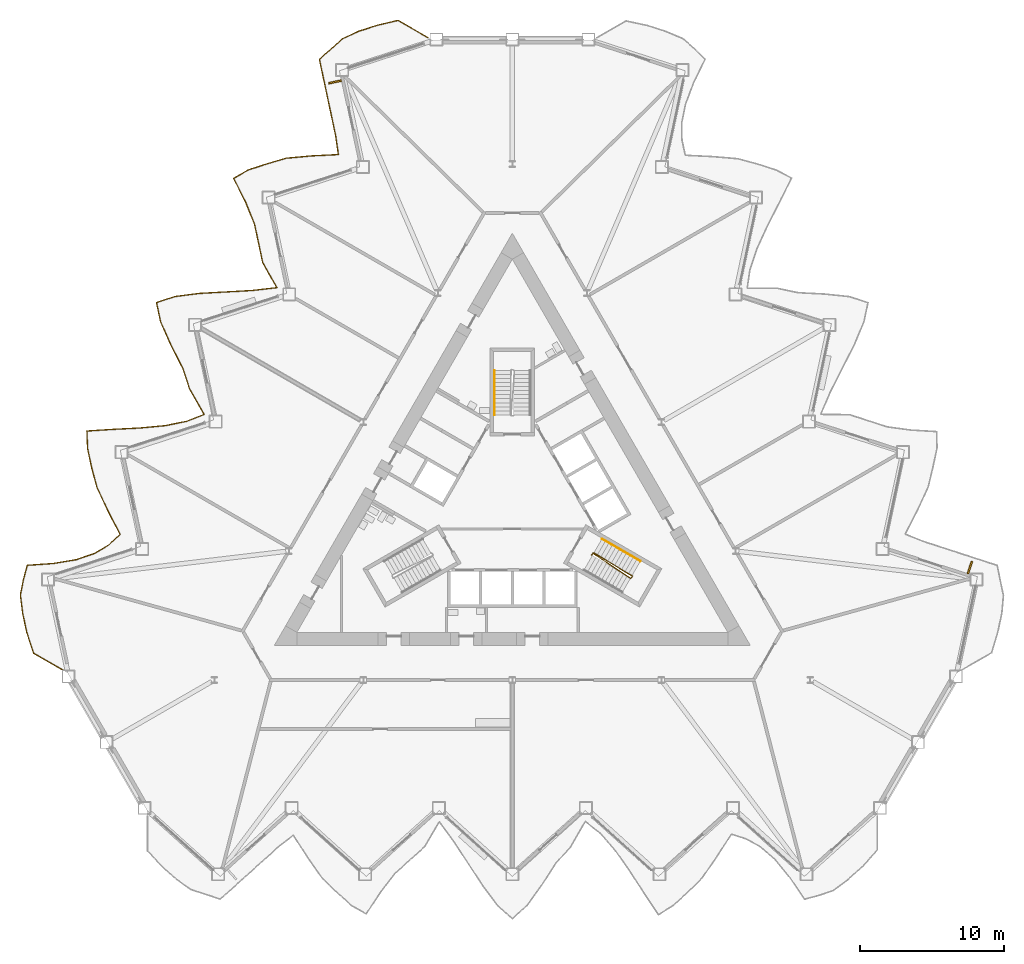
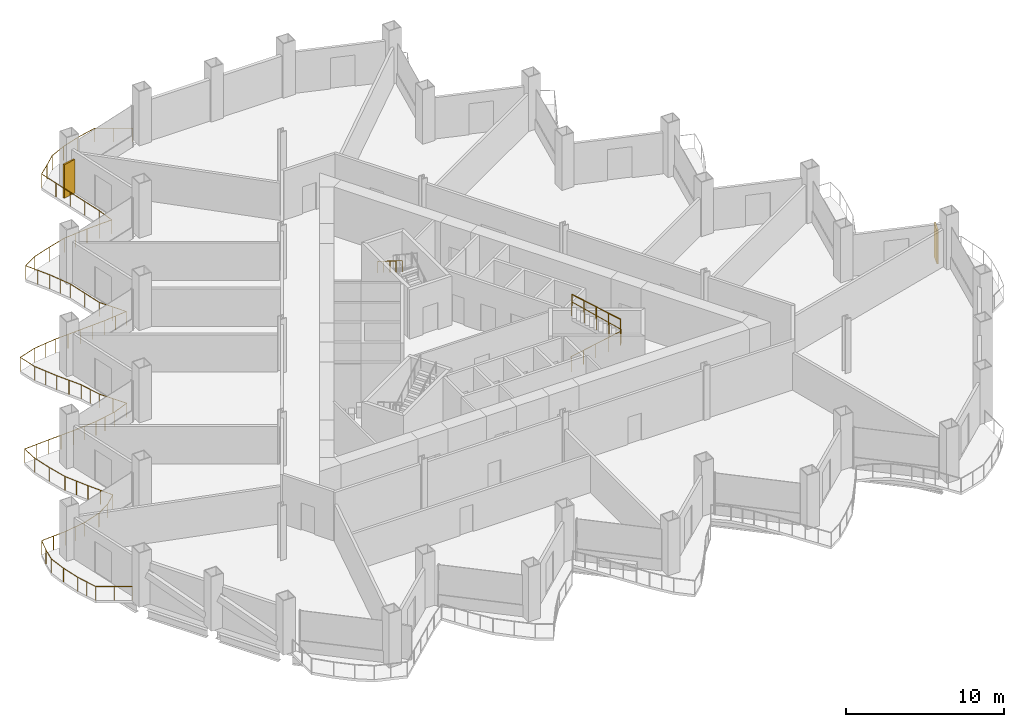
# One storey, part 18 of 21: 4 railings, 2 shading devices.
"""IFC4 building model written with IfcOpenShell, lengths in metres."""

import ifcopenshell
import ifcopenshell.guid

model = None  # the IFC model being written
_history = None  # IfcOwnerHistory: only IFC2X3 demands one
_inside = {}  # id of a spatial element -> (the spatial element, [elements in it])
_under = {}  # id of a project, library or spatial element -> (it, [spatial elements below it])
_declared = {}  # id of a project -> (the project, [libraries it declares])
_typed = {}  # id of a type object -> (the type object, [elements of that type])
_made_of = {}  # id of a material, layer set ... -> (it, [elements and type objects made of it])


def new_model(schema):
    """Start an empty IFC model of exactly this schema.

    Asked for "IFC4X3", IfcOpenShell would pick the latest addendum, in which some entities
    have other attributes; the version numbers below select the first issue.
    IFC2X3 requires an IfcOwnerHistory on every rooted entity: one is made here for all.
    """
    global model, _history
    if schema == "IFC4X3":
        model = ifcopenshell.file(schema_version=(4, 3, 0, 0))
    else:
        model = ifcopenshell.file(schema=schema)
    _inside.clear()
    _under.clear()
    _declared.clear()
    _typed.clear()
    _made_of.clear()
    _history = None
    if model.schema == "IFC2X3":
        org = make("IfcOrganization", Name="unknown")
        user = make(
            "IfcPersonAndOrganization",
            ThePerson=make("IfcPerson", FamilyName="unknown"),
            TheOrganization=org,
        )
        app = make(
            "IfcApplication",
            ApplicationDeveloper=org,
            Version="unknown",
            ApplicationFullName="unknown",
            ApplicationIdentifier="unknown",
        )
        _history = make(
            "IfcOwnerHistory",
            OwningUser=user,
            OwningApplication=app,
            ChangeAction="ADDED",
            CreationDate=0,
        )
    return model


def make(cls, **values):
    """One entity of the class cls with the attributes given. An attribute that is None is left unset."""
    return model.create_entity(
        cls, **{name: value for name, value in values.items() if value is not None}
    )


def rooted(cls, **values):
    """An entity with a GlobalId (a new one), such as an element, a storey or a relation."""
    return make(cls, GlobalId=ifcopenshell.guid.new(), OwnerHistory=_history, **values)


def si_unit(unit_type, name, prefix=None):
    """IfcSIUnit, for example si_unit("LENGTHUNIT", "METRE", prefix="MILLI")."""
    return make("IfcSIUnit", UnitType=unit_type, Prefix=prefix, Name=name)


def assignment(units):
    """IfcUnitAssignment: the units of a project."""
    return None if units is None else make("IfcUnitAssignment", Units=units)


def point(xyz):
    """IfcCartesianPoint."""
    return None if xyz is None else make("IfcCartesianPoint", Coordinates=xyz)


def direction(xyz):
    """IfcDirection."""
    return None if xyz is None else make("IfcDirection", DirectionRatios=xyz)


def frame(location, z_axis=None, x_axis=None):
    """IfcAxis2Placement3D, a coordinate frame: its origin and axes. An axis left out is left unset."""
    return make(
        "IfcAxis2Placement3D",
        Location=point(location),
        Axis=direction(z_axis),
        RefDirection=direction(x_axis),
    )


def frame_2d(location, x_axis=None):
    """IfcAxis2Placement2D, a coordinate frame in the plane: its origin and x axis."""
    return make(
        "IfcAxis2Placement2D", Location=point(location), RefDirection=direction(x_axis)
    )


def origin():
    """The frame at (0, 0, 0) with its axes left unset."""
    return frame((0.0, 0.0, 0.0))


def origin_2d():
    """The frame at (0, 0) in the plane with its x axis left unset."""
    return frame_2d((0.0, 0.0))


def place(relative_to, where):
    """IfcLocalPlacement: puts the frame where relative to a parent placement (None: the world)."""
    return make(
        "IfcLocalPlacement", PlacementRelTo=relative_to, RelativePlacement=where
    )


def context(
    kind, dimensions, precision=None, world=None, true_north=None, identifier=None
):
    """IfcGeometricRepresentationContext, for example the 3D "Model" context."""
    return make(
        "IfcGeometricRepresentationContext",
        ContextIdentifier=identifier,
        ContextType=kind,
        CoordinateSpaceDimension=dimensions,
        Precision=precision,
        WorldCoordinateSystem=world,
        TrueNorth=true_north,
    )


def subcontext(parent, identifier, kind, view, scale=None):
    """IfcGeometricRepresentationSubContext, for example "Body" below "Model"."""
    return make(
        "IfcGeometricRepresentationSubContext",
        ContextIdentifier=identifier,
        ContextType=kind,
        ParentContext=parent,
        TargetScale=scale,
        TargetView=view,
    )


def project(units=None, contexts=None):
    """IfcProject with its units and contexts."""
    return rooted(
        "IfcProject",
        Name="project",
        RepresentationContexts=contexts,
        UnitsInContext=assignment(units),
    )


def spatial(cls, under=None, at=None, **own):
    """A site, building, storey or space (cls), placed at a placement, below another one or the project."""
    s = rooted(cls, ObjectPlacement=at, **own)
    if under is not None:
        _under.setdefault(under.id(), (under, []))[1].append(s)
    return s


def profile(cls, at=None, kind="AREA", **sizes):
    """A parametric profile (cls). Its sizes go by their IFC names, for example OverallWidth=200.0."""
    return make(cls, ProfileType=kind, Position=at, **sizes)


def rectangle(**sizes):
    """IfcRectangleProfileDef."""
    return profile("IfcRectangleProfileDef", **sizes)


def circle(**sizes):
    """IfcCircleProfileDef."""
    return profile("IfcCircleProfileDef", **sizes)


def extrude(swept, where, along, depth):
    """IfcExtrudedAreaSolid: the profile swept, set in the frame where, extruded along a direction by depth."""
    return make(
        "IfcExtrudedAreaSolid",
        SweptArea=swept,
        Position=where,
        ExtrudedDirection=direction(along),
        Depth=depth,
    )


def shape(context_of_items, identifier, shape_type, items):
    """IfcShapeRepresentation: the items that make up one representation, for example the "Body"."""
    return make(
        "IfcShapeRepresentation",
        ContextOfItems=context_of_items,
        RepresentationIdentifier=identifier,
        RepresentationType=shape_type,
        Items=items,
    )


def material(Name=None, Category=None):
    """IfcMaterial."""
    return make("IfcMaterial", Name=Name, Category=Category)


def layer(
    of_material, thickness, ventilated=None, Name=None, Category=None, Priority=None
):
    """IfcMaterialLayer: one layer of a wall or slab, of a material (None: an air gap)."""
    return make(
        "IfcMaterialLayer",
        Material=of_material,
        LayerThickness=thickness,
        IsVentilated=ventilated,
        Name=Name,
        Category=Category,
        Priority=Priority,
    )


def layer_set(layers, Name=None):
    """IfcMaterialLayerSet."""
    return make("IfcMaterialLayerSet", MaterialLayers=layers, LayerSetName=Name)


def made_of(thing, what):
    """Note that an element or type object is made of a material, layer set ...; save() writes the relation."""
    if what is not None:
        _made_of.setdefault(what.id(), (what, []))[1].append(thing)
    return thing


def type_object(cls, material=None, **own):
    """A type object (cls), such as IfcWallType, which elements share."""
    return made_of(rooted(cls, **own), material)


def element(
    cls,
    number,
    at=None,
    inside=None,
    cuts=None,
    type_object=None,
    material=None,
    context=None,
    identifier="Body",
    shape_type=None,
    held_by="IfcProductDefinitionShape",
    body=None,
    shapes=None,
    **own,
):
    """One element of the class cls, such as IfcWall. Its Tag is "e" and its number.

    at: its placement. inside: the storey or other place that contains it. cuts: it is an
    opening in that element (IfcRelVoidsElement). A single representation is given by context,
    identifier, shape_type and body (its items); several are given by shapes. held_by: the class
    of the entity that holds the representations. save() writes the other relations.
    """
    e = rooted(cls, Tag="e%d" % number, ObjectPlacement=at, **own)
    if body is not None:
        shapes = [shape(context, identifier, shape_type, body)]
    if shapes is not None:
        e.Representation = make(held_by, Representations=shapes)
    if inside is not None:
        _inside.setdefault(inside.id(), (inside, []))[1].append(e)
    if cuts is not None:
        rooted(
            "IfcRelVoidsElement", RelatingBuildingElement=cuts, RelatedOpeningElement=e
        )
    if type_object is not None:
        _typed.setdefault(type_object.id(), (type_object, []))[1].append(e)
    return made_of(e, material)


def aggregate(whole, parts):
    """IfcRelAggregates: a whole, such as a stair, and the parts it consists of."""
    return rooted("IfcRelAggregates", RelatingObject=whole, RelatedObjects=parts)


def save(model, path):
    """Write the relations noted so far, then the file.

    IfcRelAggregates (storeys below a building ...), IfcRelContainedInSpatialStructure (elements
    in a storey), IfcRelDefinesByType, IfcRelAssociatesMaterial and IfcRelDeclares: one each for
    every whole, place, type object, material and project.
    """
    for whole, parts in _under.values():
        aggregate(whole, parts)
    for where, things in _inside.values():
        rooted(
            "IfcRelContainedInSpatialStructure",
            RelatedElements=things,
            RelatingStructure=where,
        )
    for kind, things in _typed.values():
        rooted("IfcRelDefinesByType", RelatedObjects=things, RelatingType=kind)
    for what, things in _made_of.values():
        rooted("IfcRelAssociatesMaterial", RelatedObjects=things, RelatingMaterial=what)
    for by, libraries in _declared.values():
        rooted("IfcRelDeclares", RelatingContext=by, RelatedDefinitions=libraries)
    model.write(path)


model = new_model("IFC4")

# Units and contexts
model_context = context("Model", 3, precision=1e-05, world=origin(), true_north=direction((0.0, 1.0)))
body_context = subcontext(model_context, "Body", "Model", "MODEL_VIEW")
ifc_project = project(units=[si_unit("LENGTHUNIT", "METRE"), si_unit("AREAUNIT", "SQUARE_METRE"), si_unit("VOLUMEUNIT", "CUBIC_METRE"), si_unit("PLANEANGLEUNIT", "RADIAN"), si_unit("MASSUNIT", "GRAM", prefix="KILO")], contexts=[model_context])

# Site, building, storey
site_placement = place(None, origin())
site = spatial("IfcSite", under=ifc_project, at=site_placement, CompositionType="ELEMENT")
building_placement = place(site_placement, origin())
building = spatial("IfcBuilding", under=site, at=building_placement, Name="Cormorant Prow Tower", CompositionType="ELEMENT")
storey_placement = place(building_placement, frame((0.0, 0.0, 141.60009765625)))
storey = spatial("IfcBuildingStorey", under=building, at=storey_placement, Name="L30", CompositionType="ELEMENT", Elevation=141.60009765625)

# Railings
ifc_material_1 = material(Name="Aluminium 6063-T6", Category="aluminium")
railing_type_1 = type_object("IfcRailingType", Name="Balcony guard 1100", PredefinedType="GUARDRAIL", material=ifc_material_1)
railing_1_placement = place(storey_placement, frame((-5.843994140625, 32.614013671875, 0.0)))
element("IfcRailing", 1, at=railing_1_placement, inside=storey, type_object=railing_type_1, Name="Balcony guard WNW", PredefinedType="GUARDRAIL", context=body_context, shape_type="SweptSolid", body=[
    extrude(circle(Radius=0.02392578125, at=origin_2d()), frame((0.0, 0.0, 1.076171875), z_axis=(-0.866028295127, 0.499994992015, 0.0), x_axis=(-0.499994992015, -0.866028295127, 0.0)), (0.0, 0.0, 1.0), 2.40380859375),
    extrude(circle(Radius=0.02392578125, at=origin_2d()), frame((-2.081787109375, 1.201904296875, 1.076171875), z_axis=(-0.973527437764, -0.228570181608, 0.0), x_axis=(0.228570181608, -0.973527437764, 0.0)), (0.0, 0.0, 1.0), 1.479248046875),
    extrude(circle(Radius=0.02392578125, at=origin_2d()), frame((-3.52197265625, 0.86376953125, 1.076171875), z_axis=(-0.951056446131, -0.309017210318, 0.0), x_axis=(0.309017210318, -0.951056446131, 0.0)), (0.0, 0.0, 1.0), 1.36279296875),
    extrude(circle(Radius=0.02392578125, at=origin_2d()), frame((-4.818115234375, 0.442626953125, 1.076171875), z_axis=(-0.907751753019, -0.419507753077, 0.0), x_axis=(0.419507753077, -0.907751753019, 0.0)), (0.0, 0.0, 1.0), 1.239501953125),
    extrude(circle(Radius=0.02392578125, at=origin_2d()), frame((-5.943359375, -0.077392578125, 1.076171875), z_axis=(-0.741660765291, -0.670775155494, 0.0), x_axis=(0.670775155494, -0.741660765291, 0.0)), (0.0, 0.0, 1.0), 1.064208984375),
    extrude(circle(Radius=0.02392578125, at=origin_2d()), frame((-6.732666015625, -0.791259765625, 1.076171875), z_axis=(-0.75254842352, -0.658536916397, 0.0), x_axis=(0.658536916397, -0.75254842352, 0.0)), (0.0, 0.0, 1.0), 1.06982421875),
    extrude(circle(Radius=0.02392578125, at=origin_2d()), frame((-7.537841796875, -1.495849609375, 1.076171875), z_axis=(0.20777949128, -0.978175691276, 0.0), x_axis=(0.978175691276, 0.20777949128, 0.0)), (0.0, 0.0, 1.0), 1.363037109375),
    extrude(circle(Radius=0.02392578125, at=origin_2d()), frame((-7.254638671875, -2.8291015625, 1.076171875), z_axis=(0.207950868925, -0.97813927235, 0.0), x_axis=(0.97813927235, 0.207950868925, 0.0)), (0.0, 0.0, 1.0), 1.363037109375),
    extrude(circle(Radius=0.02392578125, at=origin_2d()), frame((-6.97119140625, -4.162353515625, 1.076171875), z_axis=(0.207950868925, -0.97813927235, 0.0), x_axis=(0.97813927235, 0.207950868925, 0.0)), (0.0, 0.0, 1.0), 1.363037109375),
    extrude(circle(Radius=0.02392578125, at=origin_2d()), frame((-6.687744140625, -5.49560546875, 1.076171875), z_axis=(0.207950868925, -0.97813927235, 0.0), x_axis=(0.97813927235, 0.207950868925, 0.0)), (0.0, 0.0, 1.0), 1.363037109375),
    extrude(circle(Radius=0.02392578125, at=origin_2d()), frame((-6.404296875, -6.828857421875, 1.076171875), z_axis=(0.140066112569, -0.990142153486, 0.0), x_axis=(0.990142153486, 0.140066112569, 0.0)), (0.0, 0.0, 1.0), 1.286376953125),
    extrude(circle(Radius=0.02392578125, at=origin_2d()), frame((-6.22412109375, -8.1025390625, 1.076171875), z_axis=(-0.998757876962, -0.049826731848, 0.0), x_axis=(0.049826731848, -0.998757876962, 0.0)), (0.0, 0.0, 1.0), 1.86669921875),
    extrude(circle(Radius=0.02392578125, at=origin_2d()), frame((-8.088623046875, -8.195556640625, 1.076171875), z_axis=(-0.995861249843, -0.090886583505, 0.0), x_axis=(0.090886583505, -0.995861249843, 0.0)), (0.0, 0.0, 1.0), 1.7568359375),
    extrude(circle(Radius=0.02392578125, at=origin_2d()), frame((-9.838134765625, -8.355224609375, 1.076171875), z_axis=(-0.959190108163, -0.282761978353, 0.0), x_axis=(0.282761978353, -0.959190108163, 0.0)), (0.0, 0.0, 1.0), 1.39794921875),
    extrude(circle(Radius=0.02392578125, at=origin_2d()), frame((-11.178955078125, -8.75048828125, 1.076171875), z_axis=(-0.951073548171, -0.308964570734, 0.0), x_axis=(0.308964570734, -0.951073548171, 0.0)), (0.0, 0.0, 1.0), 1.363037109375),
    extrude(circle(Radius=0.02392578125, at=origin_2d()), frame((-12.475341796875, -9.171630859375, 1.076171875), z_axis=(-0.863725761158, -0.503962111187, 0.0), x_axis=(0.503962111187, -0.863725761158, 0.0)), (0.0, 0.0, 1.0), 1.16650390625),
    extrude(circle(Radius=0.02392578125, at=origin_2d()), frame((-13.48291015625, -9.759521484375, 1.076171875), z_axis=(0.447319812545, -0.894374074593, 0.0), x_axis=(0.894374074593, 0.447319812545, 0.0)), (0.0, 0.0, 1.0), 1.8388671875),
    extrude(circle(Radius=0.02392578125, at=origin_2d()), frame((-12.660400390625, -11.404052734375, 1.076171875), z_axis=(0.377977097368, -0.925814945799, 0.0), x_axis=(0.925814945799, 0.377977097368, 0.0)), (0.0, 0.0, 1.0), 1.65283203125),
    extrude(circle(Radius=0.02392578125, at=origin_2d()), frame((-12.03564453125, -12.934326171875, 1.076171875), z_axis=(0.207950868925, -0.97813927235, 0.0), x_axis=(0.97813927235, 0.207950868925, 0.0)), (0.0, 0.0, 1.0), 1.363037109375),
    extrude(circle(Radius=0.02392578125, at=origin_2d()), frame((-11.752197265625, -14.267578125, 1.076171875), z_axis=(0.20777949128, -0.978175691276, 0.0), x_axis=(0.978175691276, 0.20777949128, 0.0)), (0.0, 0.0, 1.0), 1.363037109375),
    extrude(circle(Radius=0.02392578125, at=origin_2d()), frame((-11.468994140625, -15.600830078125, 1.076171875), z_axis=(0.490803057014, -0.871270543072, 0.0), x_axis=(0.871270543072, 0.490803057014, 0.0)), (0.0, 0.0, 1.0), 1.9892578125),
    extrude(circle(Radius=0.02392578125, at=origin_2d()), frame((-10.49267578125, -17.333984375, 1.076171875), z_axis=(-0.993563140823, -0.113279676901, 0.0), x_axis=(0.113279676901, -0.993563140823, 0.0)), (0.0, 0.0, 1.0), 1.70263671875),
    extrude(circle(Radius=0.02392578125, at=origin_2d()), frame((-12.184326171875, -17.52685546875, 1.076171875), z_axis=(-0.998448965936, -0.055674612001, 0.0), x_axis=(0.055674612001, -0.998448965936, 0.0)), (0.0, 0.0, 1.0), 1.8505859375),
    extrude(circle(Radius=0.02392578125, at=origin_2d()), frame((-14.031982421875, -17.6298828125, 1.076171875), z_axis=(-0.998487812858, -0.054973517027, 0.0), x_axis=(0.054973517027, -0.998487812858, 0.0)), (0.0, 0.0, 1.0), 1.851806640625),
    extrude(circle(Radius=0.02392578125, at=origin_2d()), frame((-15.881103515625, -17.731689453125, 1.076171875), z_axis=(-0.9919372882, -0.126729697698, 0.0), x_axis=(0.126729697698, -0.9919372882, 0.0)), (0.0, 0.0, 1.0), 1.672119140625),
    extrude(circle(Radius=0.02392578125, at=origin_2d()), frame((-17.539794921875, -17.943603515625, 1.076171875), z_axis=(-0.951020906197, -0.30912656951, 0.0), x_axis=(0.30912656951, -0.951020906197, 0.0)), (0.0, 0.0, 1.0), 1.363037109375),
    extrude(circle(Radius=0.02392578125, at=origin_2d()), frame((-18.836181640625, -18.364990234375, 1.076171875), z_axis=(0.207987307747, -0.978131524804, 0.0), x_axis=(0.978131524804, 0.207987307747, 0.0)), (0.0, 0.0, 1.0), 1.36279296875),
    extrude(circle(Radius=0.02392578125, at=origin_2d()), frame((-18.552734375, -19.697998046875, 1.076171875), z_axis=(0.40700550105, -0.913425706949, 0.0), x_axis=(0.913425706949, 0.40700550105, 0.0)), (0.0, 0.0, 1.0), 1.723876953125),
    extrude(circle(Radius=0.02392578125, at=origin_2d()), frame((-17.85107421875, -21.272705078125, 1.076171875), z_axis=(0.453817619065, -0.891094590168, 0.0), x_axis=(0.891094590168, 0.453817619065, 0.0)), (0.0, 0.0, 1.0), 1.85986328125),
    extrude(circle(Radius=0.02392578125, at=origin_2d()), frame((-17.007080078125, -22.929931640625, 1.076171875), z_axis=(0.311883805034, -0.950120251419, 0.0), x_axis=(0.950120251419, 0.311883805034, 0.0)), (0.0, 0.0, 1.0), 1.5185546875),
    extrude(circle(Radius=0.02392578125, at=origin_2d()), frame((-16.533447265625, -24.372802734375, 1.076171875), z_axis=(0.498014128162, -0.867168915582, 0.0), x_axis=(0.867168915582, 0.498014128162, 0.0)), (0.0, 0.0, 1.0), 2.017822265625),
    extrude(circle(Radius=0.02392578125, at=origin_2d()), frame((-15.528564453125, -26.12255859375, 1.076171875), z_axis=(-0.929438240411, -0.368977719195, 0.0), x_axis=(0.368977719195, -0.929438240411, 0.0)), (0.0, 0.0, 1.0), 1.29150390625),
    extrude(circle(Radius=0.02392578125, at=origin_2d()), frame((-16.72900390625, -26.59912109375, 1.076171875), z_axis=(-0.980310038388, -0.197464499685, 0.0), x_axis=(0.197464499685, -0.980310038388, 0.0)), (0.0, 0.0, 1.0), 1.531982421875),
    extrude(circle(Radius=0.02392578125, at=origin_2d()), frame((-18.230712890625, -26.901611328125, 1.076171875), z_axis=(-0.995728353616, -0.092331174608, 0.0), x_axis=(0.092331174608, -0.995728353616, 0.0)), (0.0, 0.0, 1.0), 1.753173828125),
    extrude(circle(Radius=0.02392578125, at=origin_2d()), frame((-19.976318359375, -27.0634765625, 1.076171875), z_axis=(-0.998736955878, -0.050244332642, 0.0), x_axis=(0.050244332642, -0.998736955878, 0.0)), (0.0, 0.0, 1.0), 1.865966796875),
    extrude(circle(Radius=0.02392578125, at=origin_2d()), frame((-21.83984375, -27.1572265625, 1.076171875), z_axis=(-0.997949334038, -0.064008801688, 0.0), x_axis=(0.064008801688, -0.997949334038, 0.0)), (0.0, 0.0, 1.0), 1.826904296875),
    extrude(circle(Radius=0.02392578125, at=origin_2d()), frame((-23.6630859375, -27.274169921875, 1.076171875), z_axis=(0.038346953092, -0.999264485103, 0.0), x_axis=(0.999264485103, 0.038346953092, 0.0)), (0.0, 0.0, 1.0), 1.197021484375),
    extrude(circle(Radius=0.02392578125, at=origin_2d()), frame((-23.6171875, -28.47021484375, 1.076171875), z_axis=(0.20777949128, -0.978175691276, 0.0), x_axis=(0.978175691276, 0.20777949128, 0.0)), (0.0, 0.0, 1.0), 1.363037109375),
    extrude(circle(Radius=0.02392578125, at=origin_2d()), frame((-23.333984375, -29.803466796875, 1.076171875), z_axis=(0.257290708408, -0.966334047505, 0.0), x_axis=(0.966334047505, 0.257290708408, 0.0)), (0.0, 0.0, 1.0), 1.429931640625),
    extrude(circle(Radius=0.02392578125, at=origin_2d()), frame((-22.966064453125, -31.185302734375, 1.076171875), z_axis=(0.42602218973, -0.904712713439, 0.0), x_axis=(0.904712713439, 0.42602218973, 0.0)), (0.0, 0.0, 1.0), 1.775390625),
    extrude(circle(Radius=0.02392578125, at=origin_2d()), frame((-22.209716796875, -32.79150390625, 1.076171875), z_axis=(0.457055956875, -0.889437941784, 0.0), x_axis=(0.889437941784, 0.457055956875, 0.0)), (0.0, 0.0, 1.0), 1.8701171875),
    extrude(circle(Radius=0.02392578125, at=origin_2d()), frame((-21.35498046875, -34.454833984375, 1.076171875), z_axis=(-0.739513853916, -0.673141337214, 0.0), x_axis=(0.673141337214, -0.739513853916, 0.0)), (0.0, 0.0, 1.0), 1.06298828125),
    extrude(circle(Radius=0.02392578125, at=origin_2d()), frame((-22.14111328125, -35.17041015625, 1.076171875), z_axis=(-0.856112008074, -0.516790314955, 0.0), x_axis=(0.516790314955, -0.856112008074, 0.0)), (0.0, 0.0, 1.0), 1.156982421875),
    extrude(circle(Radius=0.02392578125, at=origin_2d()), frame((-23.131591796875, -35.768310546875, 1.076171875), z_axis=(-0.9478484131, -0.318721486228, 0.0), x_axis=(0.318721486228, -0.9478484131, 0.0)), (0.0, 0.0, 1.0), 1.350341796875),
    extrude(circle(Radius=0.02392578125, at=origin_2d()), frame((-24.41162109375, -36.19873046875, 1.076171875), z_axis=(-0.986530062629, -0.163580058469, 0.0), x_axis=(0.163580058469, -0.986530062629, 0.0)), (0.0, 0.0, 1.0), 1.595458984375),
    extrude(circle(Radius=0.02392578125, at=origin_2d()), frame((-25.985595703125, -36.459716796875, 1.076171875), z_axis=(-0.9976522506, -0.068483478834, 0.0), x_axis=(0.068483478834, -0.9976522506, 0.0)), (0.0, 0.0, 1.0), 1.814453125),
    extrude(circle(Radius=0.02392578125, at=origin_2d()), frame((-27.7958984375, -36.583984375, 1.076171875), z_axis=(-0.256909410112, -0.966435489309, 0.0), x_axis=(0.966435489309, -0.256909410112, 0.0)), (0.0, 0.0, 1.0), 1.049072265625),
    extrude(circle(Radius=0.02392578125, at=origin_2d()), frame((-28.0654296875, -37.597900390625, 1.076171875), z_axis=(-0.193659031182, -0.981068896481, 0.0), x_axis=(0.981068896481, -0.193659031182, 0.0)), (0.0, 0.0, 1.0), 1.0703125),
    extrude(circle(Radius=0.02392578125, at=origin_2d()), frame((-28.272705078125, -38.64794921875, 1.076171875), z_axis=(0.124129331277, -0.992266047548, 0.0), x_axis=(0.992266047548, 0.124129331277, 0.0)), (0.0, 0.0, 1.0), 1.2705078125),
    extrude(circle(Radius=0.02392578125, at=origin_2d()), frame((-28.114990234375, -39.90869140625, 1.076171875), z_axis=(0.207987307747, -0.978131524804, 0.0), x_axis=(0.978131524804, 0.207987307747, 0.0)), (0.0, 0.0, 1.0), 1.36279296875),
    extrude(circle(Radius=0.02392578125, at=origin_2d()), frame((-27.83154296875, -41.24169921875, 1.076171875), z_axis=(0.311836172934, -0.950135885676, 0.0), x_axis=(0.950135885676, 0.311836172934, 0.0)), (0.0, 0.0, 1.0), 1.518798828125),
    extrude(circle(Radius=0.02392578125, at=origin_2d()), frame((-27.35791015625, -42.684814453125, 1.076171875), z_axis=(0.865997029545, -0.500049142405, 0.0), x_axis=(0.500049142405, 0.865997029545, 0.0)), (0.0, 0.0, 1.0), 2.350341796875),
    extrude(circle(Radius=0.02099609375, at=origin_2d()), origin(), (0.0, 0.0, 1.0), 1.052001953125),
    extrude(circle(Radius=0.02099609375, at=origin_2d()), frame((-1.041015625, 0.60107421875, 0.0)), (0.0, 0.0, 1.0), 1.052001953125),
    extrude(circle(Radius=0.02099609375, at=origin_2d()), frame((-2.081787109375, 1.201904296875, 0.0)), (0.0, 0.0, 1.0), 1.052001953125),
    extrude(circle(Radius=0.02099609375, at=origin_2d()), frame((-3.52197265625, 0.86376953125, 0.0)), (0.0, 0.0, 1.0), 1.052001953125),
    extrude(circle(Radius=0.02099609375, at=origin_2d()), frame((-4.818115234375, 0.442626953125, 0.0)), (0.0, 0.0, 1.0), 1.052001953125),
    extrude(circle(Radius=0.02099609375, at=origin_2d()), frame((-5.943359375, -0.077392578125, 0.0)), (0.0, 0.0, 1.0), 1.052001953125),
    extrude(circle(Radius=0.02099609375, at=origin_2d()), frame((-6.732666015625, -0.791259765625, 0.0)), (0.0, 0.0, 1.0), 1.052001953125),
    extrude(circle(Radius=0.02099609375, at=origin_2d()), frame((-7.537841796875, -1.495849609375, 0.0)), (0.0, 0.0, 1.0), 1.052001953125),
    extrude(circle(Radius=0.02099609375, at=origin_2d()), frame((-7.254638671875, -2.8291015625, 0.0)), (0.0, 0.0, 1.0), 1.052001953125),
    extrude(circle(Radius=0.02099609375, at=origin_2d()), frame((-6.97119140625, -4.162353515625, 0.0)), (0.0, 0.0, 1.0), 1.052001953125),
    extrude(circle(Radius=0.02099609375, at=origin_2d()), frame((-6.687744140625, -5.49560546875, 0.0)), (0.0, 0.0, 1.0), 1.052001953125),
    extrude(circle(Radius=0.02099609375, at=origin_2d()), frame((-6.404296875, -6.828857421875, 0.0)), (0.0, 0.0, 1.0), 1.052001953125),
    extrude(circle(Radius=0.02099609375, at=origin_2d()), frame((-6.22412109375, -8.1025390625, 0.0)), (0.0, 0.0, 1.0), 1.052001953125),
    extrude(circle(Radius=0.02099609375, at=origin_2d()), frame((-7.15625, -8.14892578125, 0.0)), (0.0, 0.0, 1.0), 1.052001953125),
    extrude(circle(Radius=0.02099609375, at=origin_2d()), frame((-8.088623046875, -8.195556640625, 0.0)), (0.0, 0.0, 1.0), 1.052001953125),
    extrude(circle(Radius=0.02099609375, at=origin_2d()), frame((-8.96337890625, -8.275390625, 0.0)), (0.0, 0.0, 1.0), 1.052001953125),
    extrude(circle(Radius=0.02099609375, at=origin_2d()), frame((-9.838134765625, -8.355224609375, 0.0)), (0.0, 0.0, 1.0), 1.052001953125),
    extrude(circle(Radius=0.02099609375, at=origin_2d()), frame((-11.178955078125, -8.75048828125, 0.0)), (0.0, 0.0, 1.0), 1.052001953125),
    extrude(circle(Radius=0.02099609375, at=origin_2d()), frame((-12.475341796875, -9.171630859375, 0.0)), (0.0, 0.0, 1.0), 1.052001953125),
    extrude(circle(Radius=0.02099609375, at=origin_2d()), frame((-13.48291015625, -9.759521484375, 0.0)), (0.0, 0.0, 1.0), 1.052001953125),
    extrude(circle(Radius=0.02099609375, at=origin_2d()), frame((-13.07177734375, -10.581787109375, 0.0)), (0.0, 0.0, 1.0), 1.052001953125),
    extrude(circle(Radius=0.02099609375, at=origin_2d()), frame((-12.660400390625, -11.404052734375, 0.0)), (0.0, 0.0, 1.0), 1.052001953125),
    extrude(circle(Radius=0.02099609375, at=origin_2d()), frame((-12.34814453125, -12.169189453125, 0.0)), (0.0, 0.0, 1.0), 1.052001953125),
    extrude(circle(Radius=0.02099609375, at=origin_2d()), frame((-12.03564453125, -12.934326171875, 0.0)), (0.0, 0.0, 1.0), 1.052001953125),
    extrude(circle(Radius=0.02099609375, at=origin_2d()), frame((-11.752197265625, -14.267578125, 0.0)), (0.0, 0.0, 1.0), 1.052001953125),
    extrude(circle(Radius=0.02099609375, at=origin_2d()), frame((-11.468994140625, -15.600830078125, 0.0)), (0.0, 0.0, 1.0), 1.052001953125),
    extrude(circle(Radius=0.02099609375, at=origin_2d()), frame((-10.98095703125, -16.46728515625, 0.0)), (0.0, 0.0, 1.0), 1.052001953125),
    extrude(circle(Radius=0.02099609375, at=origin_2d()), frame((-10.49267578125, -17.333984375, 0.0)), (0.0, 0.0, 1.0), 1.052001953125),
    extrude(circle(Radius=0.02099609375, at=origin_2d()), frame((-11.33837890625, -17.430419921875, 0.0)), (0.0, 0.0, 1.0), 1.052001953125),
    extrude(circle(Radius=0.02099609375, at=origin_2d()), frame((-12.184326171875, -17.52685546875, 0.0)), (0.0, 0.0, 1.0), 1.052001953125),
    extrude(circle(Radius=0.02099609375, at=origin_2d()), frame((-13.108154296875, -17.578369140625, 0.0)), (0.0, 0.0, 1.0), 1.052001953125),
    extrude(circle(Radius=0.02099609375, at=origin_2d()), frame((-14.031982421875, -17.6298828125, 0.0)), (0.0, 0.0, 1.0), 1.052001953125),
    extrude(circle(Radius=0.02099609375, at=origin_2d()), frame((-14.95654296875, -17.6806640625, 0.0)), (0.0, 0.0, 1.0), 1.052001953125),
    extrude(circle(Radius=0.02099609375, at=origin_2d()), frame((-15.881103515625, -17.731689453125, 0.0)), (0.0, 0.0, 1.0), 1.052001953125),
    extrude(circle(Radius=0.02099609375, at=origin_2d()), frame((-16.71044921875, -17.837646484375, 0.0)), (0.0, 0.0, 1.0), 1.052001953125),
    extrude(circle(Radius=0.02099609375, at=origin_2d()), frame((-17.539794921875, -17.943603515625, 0.0)), (0.0, 0.0, 1.0), 1.052001953125),
    extrude(circle(Radius=0.02099609375, at=origin_2d()), frame((-18.836181640625, -18.364990234375, 0.0)), (0.0, 0.0, 1.0), 1.052001953125),
    extrude(circle(Radius=0.02099609375, at=origin_2d()), frame((-18.552734375, -19.697998046875, 0.0)), (0.0, 0.0, 1.0), 1.052001953125),
    extrude(circle(Radius=0.02099609375, at=origin_2d()), frame((-18.201904296875, -20.4853515625, 0.0)), (0.0, 0.0, 1.0), 1.052001953125),
    extrude(circle(Radius=0.02099609375, at=origin_2d()), frame((-17.85107421875, -21.272705078125, 0.0)), (0.0, 0.0, 1.0), 1.052001953125),
    extrude(circle(Radius=0.02099609375, at=origin_2d()), frame((-17.42919921875, -22.101318359375, 0.0)), (0.0, 0.0, 1.0), 1.052001953125),
    extrude(circle(Radius=0.02099609375, at=origin_2d()), frame((-17.007080078125, -22.929931640625, 0.0)), (0.0, 0.0, 1.0), 1.052001953125),
    extrude(circle(Radius=0.02099609375, at=origin_2d()), frame((-16.770263671875, -23.6513671875, 0.0)), (0.0, 0.0, 1.0), 1.052001953125),
    extrude(circle(Radius=0.02099609375, at=origin_2d()), frame((-16.533447265625, -24.372802734375, 0.0)), (0.0, 0.0, 1.0), 1.052001953125),
    extrude(circle(Radius=0.02099609375, at=origin_2d()), frame((-16.031005859375, -25.24755859375, 0.0)), (0.0, 0.0, 1.0), 1.052001953125),
    extrude(circle(Radius=0.02099609375, at=origin_2d()), frame((-15.528564453125, -26.12255859375, 0.0)), (0.0, 0.0, 1.0), 1.052001953125),
    extrude(circle(Radius=0.02099609375, at=origin_2d()), frame((-16.72900390625, -26.59912109375, 0.0)), (0.0, 0.0, 1.0), 1.052001953125),
    extrude(circle(Radius=0.02099609375, at=origin_2d()), frame((-17.47998046875, -26.75048828125, 0.0)), (0.0, 0.0, 1.0), 1.052001953125),
    extrude(circle(Radius=0.02099609375, at=origin_2d()), frame((-18.230712890625, -26.901611328125, 0.0)), (0.0, 0.0, 1.0), 1.052001953125),
    extrude(circle(Radius=0.02099609375, at=origin_2d()), frame((-19.103515625, -26.982421875, 0.0)), (0.0, 0.0, 1.0), 1.052001953125),
    extrude(circle(Radius=0.02099609375, at=origin_2d()), frame((-19.976318359375, -27.0634765625, 0.0)), (0.0, 0.0, 1.0), 1.052001953125),
    extrude(circle(Radius=0.02099609375, at=origin_2d()), frame((-20.908203125, -27.1103515625, 0.0)), (0.0, 0.0, 1.0), 1.052001953125),
    extrude(circle(Radius=0.02099609375, at=origin_2d()), frame((-21.83984375, -27.1572265625, 0.0)), (0.0, 0.0, 1.0), 1.052001953125),
    extrude(circle(Radius=0.02099609375, at=origin_2d()), frame((-22.75146484375, -27.2158203125, 0.0)), (0.0, 0.0, 1.0), 1.052001953125),
    extrude(circle(Radius=0.02099609375, at=origin_2d()), frame((-23.6630859375, -27.274169921875, 0.0)), (0.0, 0.0, 1.0), 1.052001953125),
    extrude(circle(Radius=0.02099609375, at=origin_2d()), frame((-23.6171875, -28.47021484375, 0.0)), (0.0, 0.0, 1.0), 1.052001953125),
    extrude(circle(Radius=0.02099609375, at=origin_2d()), frame((-23.333984375, -29.803466796875, 0.0)), (0.0, 0.0, 1.0), 1.052001953125),
    extrude(circle(Radius=0.02099609375, at=origin_2d()), frame((-22.966064453125, -31.185302734375, 0.0)), (0.0, 0.0, 1.0), 1.052001953125),
    extrude(circle(Radius=0.02099609375, at=origin_2d()), frame((-22.587890625, -31.98828125, 0.0)), (0.0, 0.0, 1.0), 1.052001953125),
    extrude(circle(Radius=0.02099609375, at=origin_2d()), frame((-22.209716796875, -32.79150390625, 0.0)), (0.0, 0.0, 1.0), 1.052001953125),
    extrude(circle(Radius=0.02099609375, at=origin_2d()), frame((-21.7822265625, -33.623046875, 0.0)), (0.0, 0.0, 1.0), 1.052001953125),
    extrude(circle(Radius=0.02099609375, at=origin_2d()), frame((-21.35498046875, -34.454833984375, 0.0)), (0.0, 0.0, 1.0), 1.052001953125),
    extrude(circle(Radius=0.02099609375, at=origin_2d()), frame((-22.14111328125, -35.17041015625, 0.0)), (0.0, 0.0, 1.0), 1.052001953125),
    extrude(circle(Radius=0.02099609375, at=origin_2d()), frame((-23.131591796875, -35.768310546875, 0.0)), (0.0, 0.0, 1.0), 1.052001953125),
    extrude(circle(Radius=0.02099609375, at=origin_2d()), frame((-24.41162109375, -36.19873046875, 0.0)), (0.0, 0.0, 1.0), 1.052001953125),
    extrude(circle(Radius=0.02099609375, at=origin_2d()), frame((-25.19873046875, -36.3291015625, 0.0)), (0.0, 0.0, 1.0), 1.052001953125),
    extrude(circle(Radius=0.02099609375, at=origin_2d()), frame((-25.985595703125, -36.459716796875, 0.0)), (0.0, 0.0, 1.0), 1.052001953125),
    extrude(circle(Radius=0.02099609375, at=origin_2d()), frame((-26.890625, -36.52197265625, 0.0)), (0.0, 0.0, 1.0), 1.052001953125),
    extrude(circle(Radius=0.02099609375, at=origin_2d()), frame((-27.7958984375, -36.583984375, 0.0)), (0.0, 0.0, 1.0), 1.052001953125),
    extrude(circle(Radius=0.02099609375, at=origin_2d()), frame((-28.0654296875, -37.597900390625, 0.0)), (0.0, 0.0, 1.0), 1.052001953125),
    extrude(circle(Radius=0.02099609375, at=origin_2d()), frame((-28.272705078125, -38.64794921875, 0.0)), (0.0, 0.0, 1.0), 1.052001953125),
    extrude(circle(Radius=0.02099609375, at=origin_2d()), frame((-28.114990234375, -39.90869140625, 0.0)), (0.0, 0.0, 1.0), 1.052001953125),
    extrude(circle(Radius=0.02099609375, at=origin_2d()), frame((-27.83154296875, -41.24169921875, 0.0)), (0.0, 0.0, 1.0), 1.052001953125),
    extrude(circle(Radius=0.02099609375, at=origin_2d()), frame((-27.5947265625, -41.96337890625, 0.0)), (0.0, 0.0, 1.0), 1.052001953125),
    extrude(circle(Radius=0.02099609375, at=origin_2d()), frame((-27.35791015625, -42.684814453125, 0.0)), (0.0, 0.0, 1.0), 1.052001953125),
    extrude(circle(Radius=0.02099609375, at=origin_2d()), frame((-26.34033203125, -43.2724609375, 0.0)), (0.0, 0.0, 1.0), 1.052001953125),
    extrude(circle(Radius=0.02099609375, at=origin_2d()), frame((-25.322509765625, -43.860107421875, 0.0)), (0.0, 0.0, 1.0), 1.052001953125),
])
ifc_material_2 = material(Name="Stainless steel", Category="steel")
railing_type_2 = type_object("IfcRailingType", Name="Stair guard 1100", PredefinedType="GUARDRAIL", material=ifc_material_2)
railing_2_placement = place(storey_placement, frame((5.510009765625, -3.267822265625, 0.0)))
element("IfcRailing", 2, at=railing_2_placement, inside=storey, type_object=railing_type_2, Name="L30 ST2 stair guard 1", PredefinedType="GUARDRAIL", context=body_context, shape_type="SweptSolid", body=[
    extrude(circle(Radius=0.02392578125, at=origin_2d()), frame((0.0, 0.0, 1.076171875), z_axis=(0.501036270542, 0.865426285481, 0.0), x_axis=(-0.865426285481, 0.501036270542, 0.0)), (0.0, 0.0, 1.0), 0.150146484375),
    extrude(circle(Radius=0.02392578125, at=origin_2d()), frame((0.0751953125, 0.1298828125, 1.076171875), z_axis=(0.691655524431, -0.460543096787, 0.55633864824), x_axis=(0.554233058506, 0.832361530141, 0.0)), (0.0, 0.0, 1.0), 3.7744140625),
    extrude(circle(Radius=0.02392578125, at=origin_2d()), frame((2.685791015625, -1.6083984375, 3.17578125), z_axis=(0.695164929852, 0.718850276695, 0.0), x_axis=(-0.718850276695, 0.695164929852, 0.0)), (0.0, 0.0, 1.0), 0.2060546875),
    extrude(circle(Radius=0.02392578125, at=origin_2d()), frame((2.8291015625, -1.460205078125, 3.17578125), z_axis=(-0.712463317363, 0.426661970256, 0.557095669117), x_axis=(-0.513773053629, -0.857926132814, 0.0)), (0.0, 0.0, 1.0), 3.769775390625),
    extrude(circle(Radius=0.02099609375, at=origin_2d()), origin(), (0.0, 0.0, 1.0), 1.052001953125),
    extrude(circle(Radius=0.02099609375, at=origin_2d()), frame((0.0751953125, 0.1298828125, 0.0)), (0.0, 0.0, 1.0), 1.052001953125),
    extrude(circle(Radius=0.02099609375, at=origin_2d()), frame((0.727783203125, -0.3046875, 0.52490234375)), (0.0, 0.0, 1.0), 1.052001953125),
    extrude(circle(Radius=0.02099609375, at=origin_2d()), frame((1.38037109375, -0.7392578125, 1.0498046875)), (0.0, 0.0, 1.0), 1.052001953125),
    extrude(circle(Radius=0.02099609375, at=origin_2d()), frame((2.033203125, -1.173828125, 1.574951171875)), (0.0, 0.0, 1.0), 1.052001953125),
    extrude(circle(Radius=0.02099609375, at=origin_2d()), frame((2.685791015625, -1.6083984375, 2.099853515625)), (0.0, 0.0, 1.0), 1.052001953125),
    extrude(circle(Radius=0.02099609375, at=origin_2d()), frame((2.8291015625, -1.460205078125, 2.099853515625)), (0.0, 0.0, 1.0), 1.052001953125),
    extrude(circle(Radius=0.02099609375, at=origin_2d()), frame((2.15771484375, -1.05810546875, 2.625)), (0.0, 0.0, 1.0), 1.052001953125),
    extrude(circle(Radius=0.02099609375, at=origin_2d()), frame((1.486328125, -0.656005859375, 3.14990234375)), (0.0, 0.0, 1.0), 1.052001953125),
    extrude(circle(Radius=0.02099609375, at=origin_2d()), frame((0.814697265625, -0.25390625, 3.6748046875)), (0.0, 0.0, 1.0), 1.052001953125),
    extrude(circle(Radius=0.02099609375, at=origin_2d()), frame((0.143310546875, 0.148193359375, 4.199951171875)), (0.0, 0.0, 1.0), 1.052001953125),
])
ifc_material_3 = material(Name="Stainless steel", Category="steel")
railing_type_3 = type_object("IfcRailingType", Name="Stair handrail 900", PredefinedType="HANDRAIL", material=ifc_material_3)
railing_3_placement = place(storey_placement, frame((8.88037109375, -3.690673828125, 2.27490234375)))
element("IfcRailing", 3, at=railing_3_placement, inside=storey, type_object=railing_type_3, Name="L30 ST2 stair handrail 2", PredefinedType="HANDRAIL", context=body_context, shape_type="SweptSolid", body=[
    extrude(circle(Radius=0.02392578125, at=origin_2d()), frame((0.0, 0.0, 0.8759765625), z_axis=(-0.734394994316, 0.423994474112, 0.52999309264), x_axis=(-0.499992328818, -0.866029832698, 0.0)), (0.0, 0.0, 1.0), 3.63232421875),
    extrude(circle(Radius=0.02099609375, at=origin_2d()), origin(), (0.0, 0.0, 1.0), 0.851806640625),
    extrude(circle(Radius=0.02099609375, at=origin_2d()), frame((-0.6669921875, 0.385009765625, 0.481201171875)), (0.0, 0.0, 1.0), 0.851806640625),
    extrude(circle(Radius=0.02099609375, at=origin_2d()), frame((-1.333740234375, 0.77001953125, 0.96240234375)), (0.0, 0.0, 1.0), 0.851806640625),
    extrude(circle(Radius=0.02099609375, at=origin_2d()), frame((-2.00048828125, 1.155029296875, 1.44384765625)), (0.0, 0.0, 1.0), 0.851806640625),
    extrude(circle(Radius=0.02099609375, at=origin_2d()), frame((-2.66748046875, 1.5400390625, 1.925048828125)), (0.0, 0.0, 1.0), 0.851806640625),
])
railing_4_placement = place(storey_placement, frame((-1.243896484375, 9.535888671875, 2.27490234375)))
element("IfcRailing", 4, at=railing_4_placement, inside=storey, type_object=railing_type_3, Name="L30 ST3 stair handrail 2", PredefinedType="HANDRAIL", context=body_context, shape_type="SweptSolid", body=[
    extrude(circle(Radius=0.02392578125, at=origin_2d()), frame((0.0, 0.0, 0.8759765625), z_axis=(0.0, -0.847998304005, 0.529998940003), x_axis=(1.0, 0.0, 0.0)), (0.0, 0.0, 1.0), 3.632080078125),
    extrude(circle(Radius=0.02099609375, at=origin_2d()), origin(), (0.0, 0.0, 1.0), 0.851806640625),
    extrude(circle(Radius=0.02099609375, at=origin_2d()), frame((0.0, -0.77001953125, 0.481201171875)), (0.0, 0.0, 1.0), 0.851806640625),
    extrude(circle(Radius=0.02099609375, at=origin_2d()), frame((0.0, -1.5400390625, 0.96240234375)), (0.0, 0.0, 1.0), 0.851806640625),
    extrude(circle(Radius=0.02099609375, at=origin_2d()), frame((0.0, -2.31005859375, 1.44384765625)), (0.0, 0.0, 1.0), 0.851806640625),
    extrude(circle(Radius=0.02099609375, at=origin_2d()), frame((0.0, -3.080078125, 1.925048828125)), (0.0, 0.0, 1.0), 0.851806640625),
])

# Shading devices
ifc_material_4 = material(Name="Terracotta", Category="masonry")
ifc_layer = layer(ifc_material_4, 0.1201171875)
ifc_layer_set = layer_set([ifc_layer], Name="Terracotta")
shading_device_type = type_object("IfcShadingDeviceType", Name="Terracotta baguette fin 120x900x2600", PredefinedType="USERDEFINED", material=ifc_layer_set)
for number, where, z_axis, x_axis, name in (
    (5, (31.7314453125, -4.126953125, -0.000244140625), (0.0, 0.0, 1.0), (-0.951056511608, 0.3090170088, 0.0), "Baguette fin ENE01"),
    (6, (-12.291748046875, 29.543701171875, -0.000244140625), (0.0, 0.0, 1.0), (0.207911719806, -0.978147594572, 0.0), "Baguette fin WNW01"),
):
    element("IfcShadingDevice", number, at=place(storey_placement, frame(where, z_axis=z_axis, x_axis=x_axis)), inside=storey, type_object=shading_device_type, Name=name, ObjectType="BAGUETTE", PredefinedType="USERDEFINED", context=body_context, shape_type="SweptSolid", body=[
        extrude(rectangle(XDim=0.1201171875, YDim=0.89990234375, at=origin_2d()), origin(), (0.0, 0.0, 1.0), 2.60009765625),
    ])

save(model, "model.ifc")
